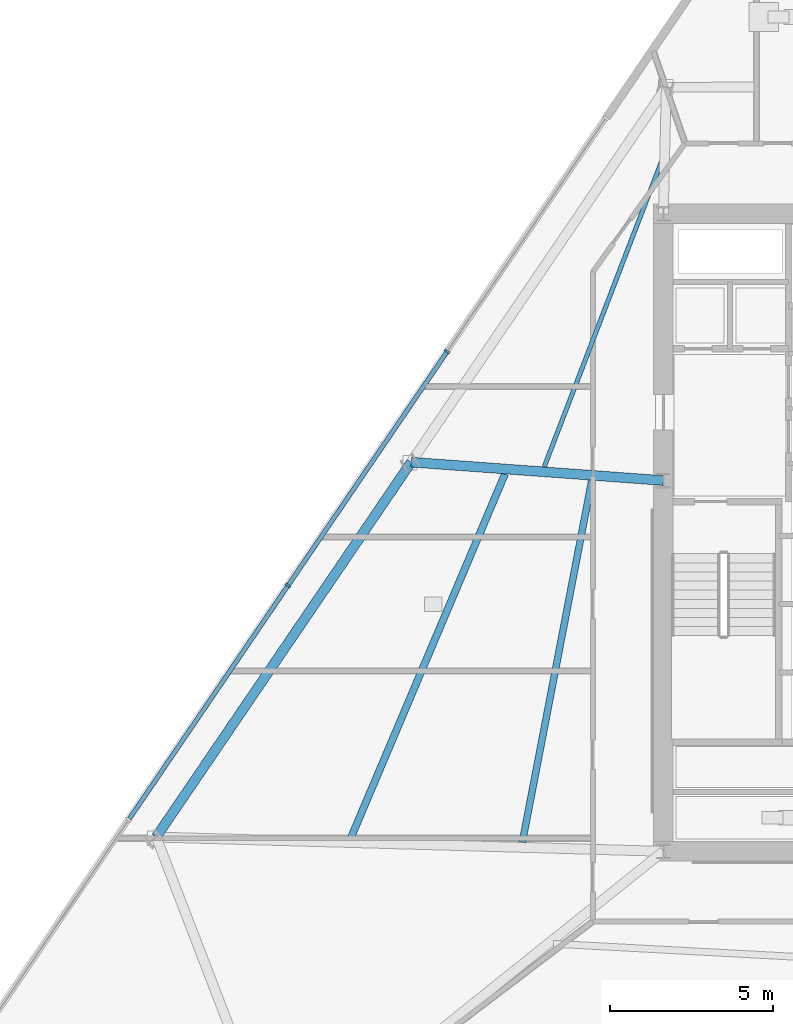
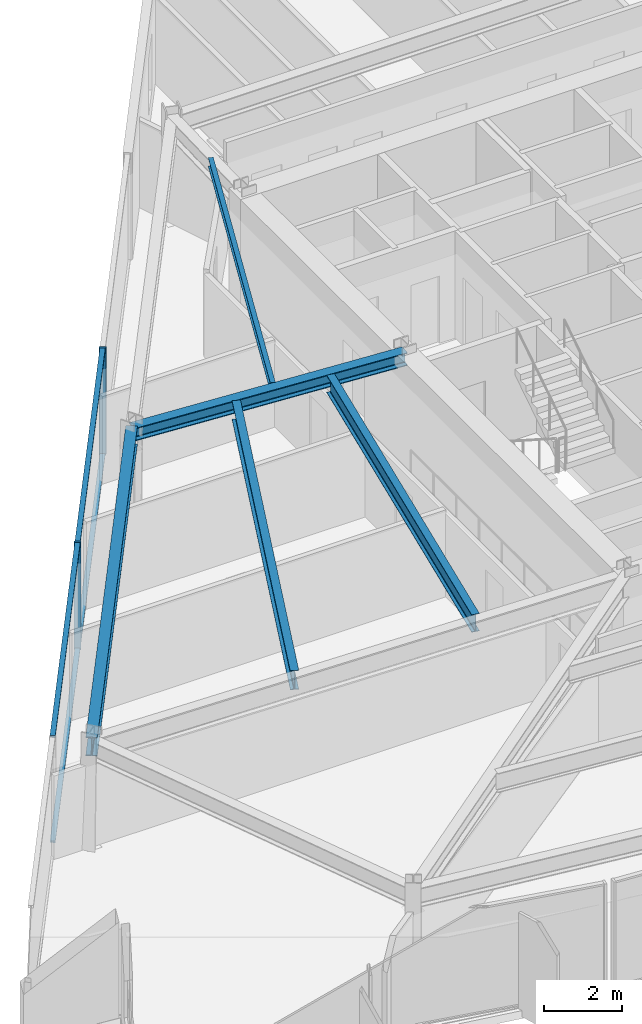
# One storey, part 4 of 16: 6 members, 5 beams, 1 element without a shape of its own.
"""IFC4 building model written with IfcOpenShell, lengths in metres."""

from ifc_helpers import new_model, si_unit, direction, frame, origin, origin_2d, place, context, subcontext, project, spatial, rectangle, i_section, extrude, material, material_profile, profile_set, type_object, element, aggregate, save


model = new_model("IFC4")

# Units and contexts
model_context = context("Model", 3, precision=1e-05, world=origin(), true_north=direction((0.0, 1.0)))
body_context = subcontext(model_context, "Body", "Model", "MODEL_VIEW")
ifc_project = project(units=[si_unit("LENGTHUNIT", "METRE"), si_unit("AREAUNIT", "SQUARE_METRE"), si_unit("VOLUMEUNIT", "CUBIC_METRE"), si_unit("PLANEANGLEUNIT", "RADIAN"), si_unit("MASSUNIT", "GRAM", prefix="KILO")], contexts=[model_context])

# Site, building, storey
site_placement = place(None, origin())
site = spatial("IfcSite", under=ifc_project, at=site_placement, CompositionType="ELEMENT")
building_placement = place(site_placement, origin())
building = spatial("IfcBuilding", under=site, at=building_placement, Name="Savorim Split Tower", CompositionType="ELEMENT")
storey_placement = place(building_placement, frame((0.0, 0.0, 66.0)))
storey = spatial("IfcBuildingStorey", under=building, at=storey_placement, Name="L17", CompositionType="ELEMENT", Elevation=66.0)

# Beams
ifc_material_1 = material(Name="Steel S355", Category="steel")
ifc_material_profile_1 = material_profile(ifc_material_1, i_section(OverallWidth=0.135009765625, OverallDepth=0.27001953125, WebThickness=0.006591796875, FlangeThickness=0.01025390625, FilletRadius=0.014892578125, at=origin_2d()), Name="IPE 270")
ifc_profile_set_1 = profile_set([ifc_material_profile_1], Name="Steel S355")
beam_type_1 = type_object("IfcBeamType", Name="BM-JST-IPE270", PredefinedType="JOIST", material=ifc_profile_set_1)
beam_1_placement = place(storey_placement, frame((-7.71533203125, 11.918701171875, 3.215087890625), z_axis=(-0.358630136397, -0.933479740149, 0.0), x_axis=(0.933479740149, -0.358630136397, 0.0)))
element("IfcBeam", 1, at=beam_1_placement, inside=storey, type_object=beam_type_1, Name="L17 Secondary Floor Joist JS-09", PredefinedType="JOIST", context=body_context, shape_type="SweptSolid", body=[
    extrude(i_section(OverallWidth=0.135009765625, OverallDepth=0.27001953125, WebThickness=0.006591796875, FlangeThickness=0.01025390625, FilletRadius=0.014892578125, at=origin_2d()), origin(), (0.0, 0.0, 1.0), 10.174560546875),
])
ifc_material_profile_2 = material_profile(ifc_material_1, i_section(OverallWidth=0.2099609375, OverallDepth=0.550048828125, WebThickness=0.010986328125, FlangeThickness=0.01708984375, FilletRadius=0.02392578125, at=origin_2d()), Name="IPE 550")
ifc_profile_set_2 = profile_set([ifc_material_profile_2], Name="Steel S355")
beam_type_2 = type_object("IfcBeamType", Name="BM-JST-IPE550", PredefinedType="JOIST", material=ifc_profile_set_2)
beam_2_placement = place(storey_placement, frame((-9.901123046875, 2.001220703125, 3.074951171875), z_axis=(-0.188556321459, -0.982062377671, 0.0), x_axis=(0.982062377671, -0.188556321459, 0.0)))
element("IfcBeam", 2, at=beam_2_placement, inside=storey, type_object=beam_type_2, Name="L17 Secondary Floor Joist JS-11", PredefinedType="JOIST", context=body_context, shape_type="SweptSolid", body=[
    extrude(i_section(OverallWidth=0.2099609375, OverallDepth=0.550048828125, WebThickness=0.010986328125, FlangeThickness=0.01708984375, FilletRadius=0.02392578125, at=origin_2d()), origin(), (0.0, 0.0, 1.0), 11.32421875),
])
ifc_material_profile_3 = material_profile(ifc_material_1, i_section(OverallWidth=0.219970703125, OverallDepth=0.60009765625, WebThickness=0.011962890625, FlangeThickness=0.01904296875, FilletRadius=0.02392578125, at=origin_2d()), Name="IPE 600")
ifc_profile_set_3 = profile_set([ifc_material_profile_3], Name="Steel S355")
beam_type_3 = type_object("IfcBeamType", Name="BM-JST-IPE600", PredefinedType="JOIST", material=ifc_profile_set_3)
beam_3_placement = place(storey_placement, frame((-12.569580078125, 2.203369140625, 3.050048828125), z_axis=(-0.390002588476, -0.920813760205, 0.0), x_axis=(0.920813760205, -0.390002588476, 0.0)))
element("IfcBeam", 3, at=beam_3_placement, inside=storey, type_object=beam_type_3, Name="L17 Secondary Floor Joist JS-10", PredefinedType="JOIST", context=body_context, shape_type="SweptSolid", body=[
    extrude(i_section(OverallWidth=0.219970703125, OverallDepth=0.60009765625, WebThickness=0.011962890625, FlangeThickness=0.01904296875, FilletRadius=0.02392578125, at=origin_2d()), origin(), (0.0, 0.0, 1.0), 12.1455078125),
])
ifc_material_profile_4 = material_profile(ifc_material_1, i_section(OverallWidth=0.300048828125, OverallDepth=0.39990234375, WebThickness=0.013427734375, FlangeThickness=0.02392578125, FilletRadius=0.027099609375, at=origin_2d()), Name="HEB 400")
ifc_profile_set_4 = profile_set([ifc_material_profile_4], Name="Steel S355")
beam_type_4 = type_object("IfcBeamType", Name="BM-PRI-HEB400", PredefinedType="BEAM", material=ifc_profile_set_4)
beam_4_placement = place(storey_placement, frame((-15.45361328125, 2.5654296875, 3.14990234375), z_axis=(0.997351588168, -0.072731077118, 0.0), x_axis=(0.072731077118, 0.997351588168, 0.0)))
element("IfcBeam", 4, at=beam_4_placement, inside=storey, type_object=beam_type_4, Name="L17 Primary Floor Girder RG-09", PredefinedType="BEAM", context=body_context, shape_type="SweptSolid", body=[
    extrude(i_section(OverallWidth=0.300048828125, OverallDepth=0.39990234375, WebThickness=0.013427734375, FlangeThickness=0.02392578125, FilletRadius=0.027099609375, at=origin_2d()), origin(), (0.0, 0.0, 1.0), 7.774169921875),
])
ifc_material_profile_5 = material_profile(ifc_material_1, i_section(OverallWidth=0.300048828125, OverallDepth=0.590087890625, WebThickness=0.012939453125, FlangeThickness=0.02490234375, FilletRadius=0.027099609375, at=origin_2d()), Name="HEA 600")
ifc_profile_set_5 = profile_set([ifc_material_profile_5], Name="Steel S355")
beam_type_5 = type_object("IfcBeamType", Name="BM-SPN-HEA600", PredefinedType="SPANDREL", material=ifc_profile_set_5)
beam_5_placement = place(storey_placement, frame((-15.45361328125, 2.5654296875, 3.054931640625), z_axis=(-0.562471921641, -0.82681638673, 0.0), x_axis=(0.82681638673, -0.562471921641, 0.0)))
element("IfcBeam", 5, at=beam_5_placement, inside=storey, type_object=beam_type_5, Name="L17 Perimeter Spandrel Beam 9", PredefinedType="SPANDREL", context=body_context, shape_type="SweptSolid", body=[
    extrude(i_section(OverallWidth=0.300048828125, OverallDepth=0.590087890625, WebThickness=0.012939453125, FlangeThickness=0.02490234375, FilletRadius=0.027099609375, at=origin_2d()), origin(), (0.0, 0.0, 1.0), 13.9404296875),
])

# Curtain wall, members
ifc_material_2 = material(Name="Dark Ceramic-Fritted Insulated Glass", Category="glass")
curtain_wall_type = type_object("IfcCurtainWallType", Name="CW-TWR-FRIT-A", PredefinedType="NOTDEFINED", material=ifc_material_2)
curtain_wall_placement = place(storey_placement, origin())
curtain_wall = element("IfcCurtainWall", 6, at=curtain_wall_placement, inside=storey, type_object=curtain_wall_type, Name="L17 Curtain Wall CW-L17-WEST", PredefinedType="NOTDEFINED")
ifc_material_3 = material(Name="Charcoal Anodised Aluminium", Category="aluminium")
ifc_material_profile_6 = material_profile(ifc_material_3, rectangle(XDim=0.179931640625, YDim=0.06494140625, at=origin_2d()), Name="ALU-M 180x65")
ifc_profile_set_6 = profile_set([ifc_material_profile_6], Name="Charcoal Anodised Aluminium")
member_type_1 = type_object("IfcMemberType", Name="CWM-180x65", PredefinedType="MULLION", material=ifc_profile_set_6)
member_1_placement = place(storey_placement, frame((-14.34619140625, 5.967041015625, 0.0), z_axis=(0.0, 0.0, 1.0), x_axis=(0.826820172644, -0.562466356423, 0.0)))
member_1 = element("IfcMember", 7, at=member_1_placement, type_object=member_type_1, Name="CW-02 mullion 2", PredefinedType="MULLION", context=body_context, shape_type="SweptSolid", body=[
    extrude(rectangle(XDim=0.179931640625, YDim=0.06494140625, at=origin_2d()), origin(), (0.0, 0.0, 1.0), 3.35009765625),
])
member_2_placement = place(storey_placement, frame((-19.24169921875, -1.229248046875, 0.0), z_axis=(0.0, 0.0, 1.0), x_axis=(0.826820172644, -0.562466356423, 0.0)))
member_2 = element("IfcMember", 8, at=member_2_placement, type_object=member_type_1, Name="CW-02 mullion 3", PredefinedType="MULLION", context=body_context, shape_type="SweptSolid", body=[
    extrude(rectangle(XDim=0.179931640625, YDim=0.06494140625, at=origin_2d()), origin(), (0.0, 0.0, 1.0), 3.35009765625),
])
ifc_material_profile_7 = material_profile(ifc_material_3, rectangle(XDim=0.139892578125, YDim=0.054931640625, at=origin_2d()), Name="ALU-T 140x55")
ifc_profile_set_7 = profile_set([ifc_material_profile_7], Name="Charcoal Anodised Aluminium")
member_type_2 = type_object("IfcMemberType", Name="CWT-140x55", PredefinedType="USERDEFINED", material=ifc_profile_set_7)
member_3_placement = place(storey_placement, frame((-14.364501953125, 5.940185546875, 0.027587890625), z_axis=(-0.562463069867, -0.826822408402, 0.0), x_axis=(0.826822408402, -0.562463069867, 0.0)))
member_3 = element("IfcMember", 9, at=member_3_placement, type_object=member_type_2, Name="CW-02 transom 2.1", ObjectType="TRANSOM", PredefinedType="USERDEFINED", context=body_context, shape_type="SweptSolid", body=[
    extrude(rectangle(XDim=0.139892578125, YDim=0.054931640625, at=origin_2d()), origin(), (0.0, 0.0, 1.0), 8.638671875),
])
member_4_placement = place(storey_placement, frame((-14.364501953125, 5.940185546875, 3.322509765625), z_axis=(-0.562463069867, -0.826822408402, 0.0), x_axis=(0.826822408402, -0.562463069867, 0.0)))
member_4 = element("IfcMember", 10, at=member_4_placement, type_object=member_type_2, Name="CW-02 transom 2.2", ObjectType="TRANSOM", PredefinedType="USERDEFINED", context=body_context, shape_type="SweptSolid", body=[
    extrude(rectangle(XDim=0.139892578125, YDim=0.054931640625, at=origin_2d()), origin(), (0.0, 0.0, 1.0), 8.638671875),
])
member_5_placement = place(storey_placement, frame((-19.260009765625, -1.256103515625, 0.027587890625), z_axis=(-0.562449926829, -0.826831349073, 0.0), x_axis=(0.826831349073, -0.562449926829, 0.0)))
member_5 = element("IfcMember", 11, at=member_5_placement, type_object=member_type_2, Name="CW-02 transom 3.1", ObjectType="TRANSOM", PredefinedType="USERDEFINED", context=body_context, shape_type="SweptSolid", body=[
    extrude(rectangle(XDim=0.139892578125, YDim=0.054931640625, at=origin_2d()), origin(), (0.0, 0.0, 1.0), 8.638671875),
])
member_6_placement = place(storey_placement, frame((-19.260009765625, -1.256103515625, 3.322509765625), z_axis=(-0.562449926829, -0.826831349073, 0.0), x_axis=(0.826831349073, -0.562449926829, 0.0)))
member_6 = element("IfcMember", 12, at=member_6_placement, type_object=member_type_2, Name="CW-02 transom 3.2", ObjectType="TRANSOM", PredefinedType="USERDEFINED", context=body_context, shape_type="SweptSolid", body=[
    extrude(rectangle(XDim=0.139892578125, YDim=0.054931640625, at=origin_2d()), origin(), (0.0, 0.0, 1.0), 8.638671875),
])
aggregate(curtain_wall, [member_1, member_2, member_3, member_4, member_5, member_6])

save(model, "model.ifc")
